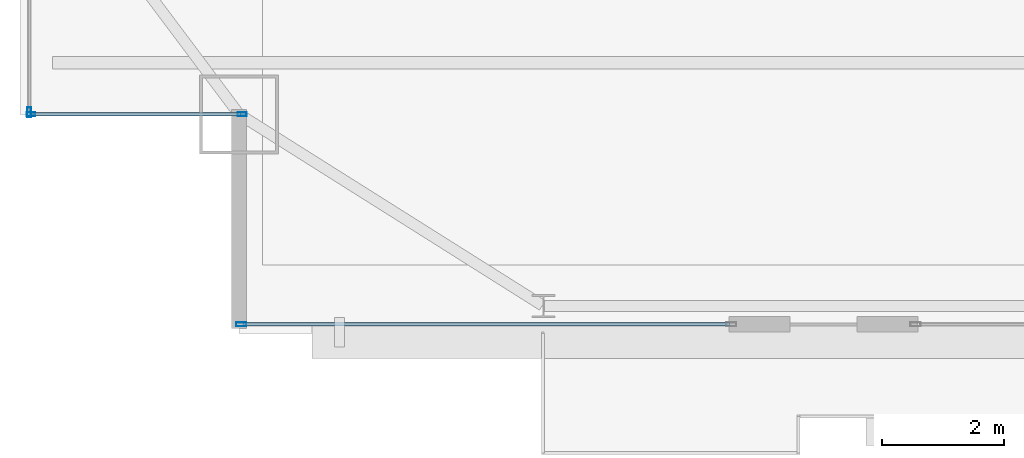
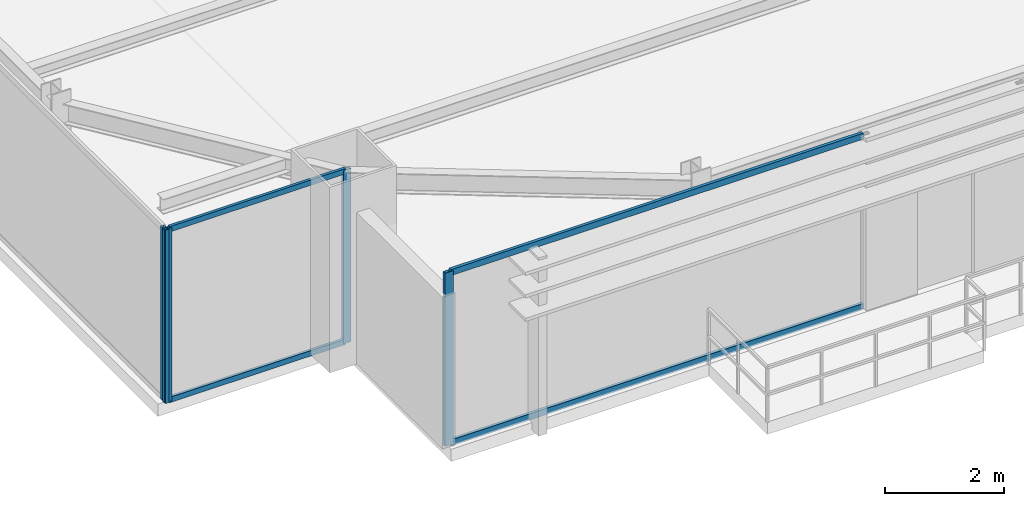
# One storey, part 4 of 34: 8 members, 3 elements without a shape of their own.
"""IFC4 building model written with IfcOpenShell, lengths in metres."""

from ifc_helpers import new_model, si_unit, direction, frame, origin, origin_2d, place, context, subcontext, project, spatial, hollow_rectangle, extrude, source, transform, mapped, material, layer, layer_set, material_profile, profile_set, type_object, type_shapes, element, aggregate, save


model = new_model("IFC4")

# Units and contexts
model_context = context("Model", 3, precision=1e-05, world=origin(), true_north=direction((0.0, 1.0)))
body_context = subcontext(model_context, "Body", "Model", "MODEL_VIEW")
ifc_project = project(units=[si_unit("LENGTHUNIT", "METRE"), si_unit("AREAUNIT", "SQUARE_METRE"), si_unit("VOLUMEUNIT", "CUBIC_METRE"), si_unit("PLANEANGLEUNIT", "RADIAN"), si_unit("MASSUNIT", "GRAM", prefix="KILO")], contexts=[model_context])

# Site, building, storey
site_placement = place(None, origin())
site = spatial("IfcSite", under=ifc_project, at=site_placement, CompositionType="ELEMENT")
building_placement = place(site_placement, origin())
building = spatial("IfcBuilding", under=site, at=building_placement, Name="Varnel Quay Broadcast Tower", CompositionType="ELEMENT")
storey_placement = place(building_placement, frame((0.0, 0.0, 161.0)))
storey = spatial("IfcBuildingStorey", under=building, at=storey_placement, Name="L39", CompositionType="ELEMENT", Elevation=161.0)

# Curtain wall, members
ifc_material = material(Name="Anodised Bronze Aluminium 6063-T6", Category="aluminium")
ifc_layer_1 = layer(ifc_material, 0.18994140625, Name="Anodised Bronze Aluminium 6063-T6")
ifc_layer_set_1 = layer_set([ifc_layer_1], Name="Anodised Bronze Aluminium 6063-T6")
curtain_wall_type_1 = type_object("IfcCurtainWallType", Name="CW_NotchCorner", PredefinedType="NOTDEFINED", material=ifc_layer_set_1)
curtain_wall_1_placement = place(storey_placement, origin())
curtain_wall_1 = element("IfcCurtainWall", 1, at=curtain_wall_1_placement, inside=storey, type_object=curtain_wall_type_1, Name="L39 SW Notch Curtain Wall", PredefinedType="NOTDEFINED")
ifc_material_profile_1 = material_profile(ifc_material, hollow_rectangle(XDim=0.054931640625, YDim=0.110107421875, WallThickness=0.0029296875, at=origin_2d()), Name="ALU55X110X3")
ifc_profile_set_1 = profile_set([ifc_material_profile_1], Name="Anodised Bronze Aluminium 6063-T6")
member_type_1 = type_object("IfcMemberType", Name="Tran_CWS-04", PredefinedType="USERDEFINED", material=ifc_profile_set_1)
shared_shape_1 = source(origin(), body_context, "Body", "SweptSolid", [
    extrude(hollow_rectangle(XDim=0.054931640625, YDim=0.110107421875, WallThickness=0.0029296875, at=origin_2d()), origin(), (0.0, 0.0, 1.0), 3.41015625),
])
type_shapes(member_type_1, [shared_shape_1])
member_1_placement = place(storey_placement, frame((7.2099609375, 10.800048828125, 0.027587890625), z_axis=(1.0, 0.0, 0.0), x_axis=(0.0, 1.0, 0.0)))
member_1 = element("IfcMember", 2, at=member_1_placement, type_object=member_type_1, Name="CWS-04 transom 1.1", ObjectType="TRANSOM", PredefinedType="USERDEFINED", context=body_context, shape_type="MappedRepresentation", body=[
    mapped(shared_shape_1, transform((0.0, 0.0, 0.0), x_axis=(1.0, 0.0, 0.0), y_axis=(0.0, 1.0, 0.0), z_axis=(0.0, 0.0, 1.0), scale=1.0)),
])
member_2_placement = place(storey_placement, frame((7.2099609375, 10.800048828125, 3.5224609375), z_axis=(1.0, 0.0, 0.0), x_axis=(0.0, 1.0, 0.0)))
member_2 = element("IfcMember", 3, at=member_2_placement, type_object=member_type_1, Name="CWS-04 transom 1.2", ObjectType="TRANSOM", PredefinedType="USERDEFINED", context=body_context, shape_type="MappedRepresentation", body=[
    mapped(shared_shape_1, transform((0.0, 0.0, 0.0), x_axis=(1.0, 0.0, 0.0), y_axis=(0.0, 1.0, 0.0), z_axis=(0.0, 0.0, 1.0), scale=1.0)),
])
ifc_material_profile_2 = material_profile(ifc_material, hollow_rectangle(XDim=0.06005859375, YDim=0.14501953125, WallThickness=0.00341796875, at=origin_2d()), Name="ALU60X145X3.5")
ifc_profile_set_2 = profile_set([ifc_material_profile_2], Name="Anodised Bronze Aluminium 6063-T6")
member_type_2 = type_object("IfcMemberType", Name="Mull_CWS-04", PredefinedType="MULLION", material=ifc_profile_set_2)
shared_shape_2 = source(origin(), body_context, "Body", "SweptSolid", [
    extrude(hollow_rectangle(XDim=0.06005859375, YDim=0.14501953125, WallThickness=0.00341796875, at=origin_2d()), origin(), (0.0, 0.0, 1.0), 3.550048828125),
])
type_shapes(member_type_2, [shared_shape_2])
member_3_placement = place(storey_placement, frame((7.179931640625, 10.800048828125, 0.0), z_axis=(0.0, 0.0, 1.0), x_axis=(0.0, 1.0, 0.0)))
member_3 = element("IfcMember", 4, at=member_3_placement, type_object=member_type_2, Name="CWS-04 mullion 1", PredefinedType="MULLION", context=body_context, shape_type="MappedRepresentation", body=[
    mapped(shared_shape_2, transform((0.0, 0.0, 0.0), x_axis=(1.0, 0.0, 0.0), y_axis=(0.0, 1.0, 0.0), z_axis=(0.0, 0.0, 1.0), scale=1.0)),
])
member_4_placement = place(storey_placement, frame((10.64990234375, 10.800048828125, 0.0), z_axis=(0.0, 0.0, 1.0), x_axis=(0.0, 1.0, 0.0)))
member_4 = element("IfcMember", 5, at=member_4_placement, type_object=member_type_2, Name="CWS-04 mullion 2", PredefinedType="MULLION", context=body_context, shape_type="MappedRepresentation", body=[
    mapped(shared_shape_2, transform((0.0, 0.0, 0.0), x_axis=(1.0, 0.0, 0.0), y_axis=(0.0, 1.0, 0.0), z_axis=(0.0, 0.0, 1.0), scale=1.0)),
])
aggregate(curtain_wall_1, [member_3, member_4, member_1, member_2])

# Curtain wall, member
ifc_layer_2 = layer(ifc_material, 0.18994140625, Name="Anodised Bronze Aluminium 6063-T6")
ifc_layer_set_2 = layer_set([ifc_layer_2], Name="Anodised Bronze Aluminium 6063-T6")
curtain_wall_type_2 = type_object("IfcCurtainWallType", Name="CW_UpperTower", PredefinedType="NOTDEFINED", material=ifc_layer_set_2)
curtain_wall_2_placement = place(storey_placement, origin())
curtain_wall_2 = element("IfcCurtainWall", 6, at=curtain_wall_2_placement, inside=storey, type_object=curtain_wall_type_2, Name="L39 South Unitised Curtain Wall 1", PredefinedType="NOTDEFINED")
ifc_material_profile_3 = material_profile(ifc_material, hollow_rectangle(XDim=0.06494140625, YDim=0.1650390625, WallThickness=0.00341796875, at=origin_2d()), Name="ALU65X165X3.5")
ifc_profile_set_3 = profile_set([ifc_material_profile_3], Name="Anodised Bronze Aluminium 6063-T6")
member_type_3 = type_object("IfcMemberType", Name="Mull_CWS-03", PredefinedType="MULLION", material=ifc_profile_set_3)
shared_shape_3 = source(origin(), body_context, "Body", "SweptSolid", [
    extrude(hollow_rectangle(XDim=0.06494140625, YDim=0.1650390625, WallThickness=0.00341796875, at=origin_2d()), origin(), (0.0, 0.0, 1.0), 3.550048828125),
])
type_shapes(member_type_3, [shared_shape_3])
member_5_placement = place(storey_placement, frame((10.632568359375, 7.35009765625, 0.0), z_axis=(0.0, 0.0, 1.0), x_axis=(0.0, 1.0, 0.0)))
member_5 = element("IfcMember", 7, at=member_5_placement, type_object=member_type_3, Name="CWS-03 mullion 1", PredefinedType="MULLION", context=body_context, shape_type="MappedRepresentation", body=[
    mapped(shared_shape_3, transform((0.0, 0.0, 0.0), x_axis=(1.0, 0.0, 0.0), y_axis=(0.0, 1.0, 0.0), z_axis=(0.0, 0.0, 1.0), scale=1.0)),
])

curtain_wall_3_placement = place(storey_placement, origin())
curtain_wall_3 = element("IfcCurtainWall", 8, at=curtain_wall_3_placement, inside=storey, type_object=curtain_wall_type_2, Name="L39 West Unitised Curtain Wall", PredefinedType="NOTDEFINED")
member_6_placement = place(storey_placement, frame((7.14990234375, 10.83251953125, 0.0), z_axis=(0.0, 0.0, 1.0), x_axis=(-1.0, 0.0, 0.0)))
member_6 = element("IfcMember", 9, at=member_6_placement, type_object=member_type_3, Name="CWS-03 mullion 1", PredefinedType="MULLION", context=body_context, shape_type="MappedRepresentation", body=[
    mapped(shared_shape_3, transform((0.0, 0.0, 0.0), x_axis=(1.0, 0.0, 0.0), y_axis=(0.0, 1.0, 0.0), z_axis=(0.0, 0.0, 1.0), scale=1.0)),
])
aggregate(curtain_wall_3, [member_6])

# Member
ifc_material_profile_4 = material_profile(ifc_material, hollow_rectangle(XDim=0.06005859375, YDim=0.125, WallThickness=0.0029296875, at=origin_2d()), Name="ALU60X125X3")
ifc_profile_set_4 = profile_set([ifc_material_profile_4], Name="Anodised Bronze Aluminium 6063-T6")
member_type_4 = type_object("IfcMemberType", Name="Tran_CWS-03", PredefinedType="USERDEFINED", material=ifc_profile_set_4)
shared_shape_4 = source(origin(), body_context, "Body", "SweptSolid", [
    extrude(hollow_rectangle(XDim=0.06005859375, YDim=0.125, WallThickness=0.0029296875, at=origin_2d()), origin(), (0.0, 0.0, 1.0), 7.989990234375),
])
type_shapes(member_type_4, [shared_shape_4])
member_7_placement = place(storey_placement, frame((10.6650390625, 7.35009765625, 0.030029296875), z_axis=(1.0, 0.0, 0.0), x_axis=(0.0, 1.0, 0.0)))
member_7 = element("IfcMember", 10, at=member_7_placement, type_object=member_type_4, Name="CWS-03 transom 1.1", ObjectType="TRANSOM", PredefinedType="USERDEFINED", context=body_context, shape_type="MappedRepresentation", body=[
    mapped(shared_shape_4, transform((0.0, 0.0, 0.0), x_axis=(1.0, 0.0, 0.0), y_axis=(0.0, 1.0, 0.0), z_axis=(0.0, 0.0, 1.0), scale=1.0)),
])

member_8_placement = place(storey_placement, frame((10.6650390625, 7.35009765625, 3.52001953125), z_axis=(1.0, 0.0, 0.0), x_axis=(0.0, 1.0, 0.0)))
member_8 = element("IfcMember", 11, at=member_8_placement, type_object=member_type_4, Name="CWS-03 transom 1.2", ObjectType="TRANSOM", PredefinedType="USERDEFINED", context=body_context, shape_type="MappedRepresentation", body=[
    mapped(shared_shape_4, transform((0.0, 0.0, 0.0), x_axis=(1.0, 0.0, 0.0), y_axis=(0.0, 1.0, 0.0), z_axis=(0.0, 0.0, 1.0), scale=1.0)),
])

aggregate(curtain_wall_2, [member_5, member_7, member_8])

save(model, "model.ifc")
